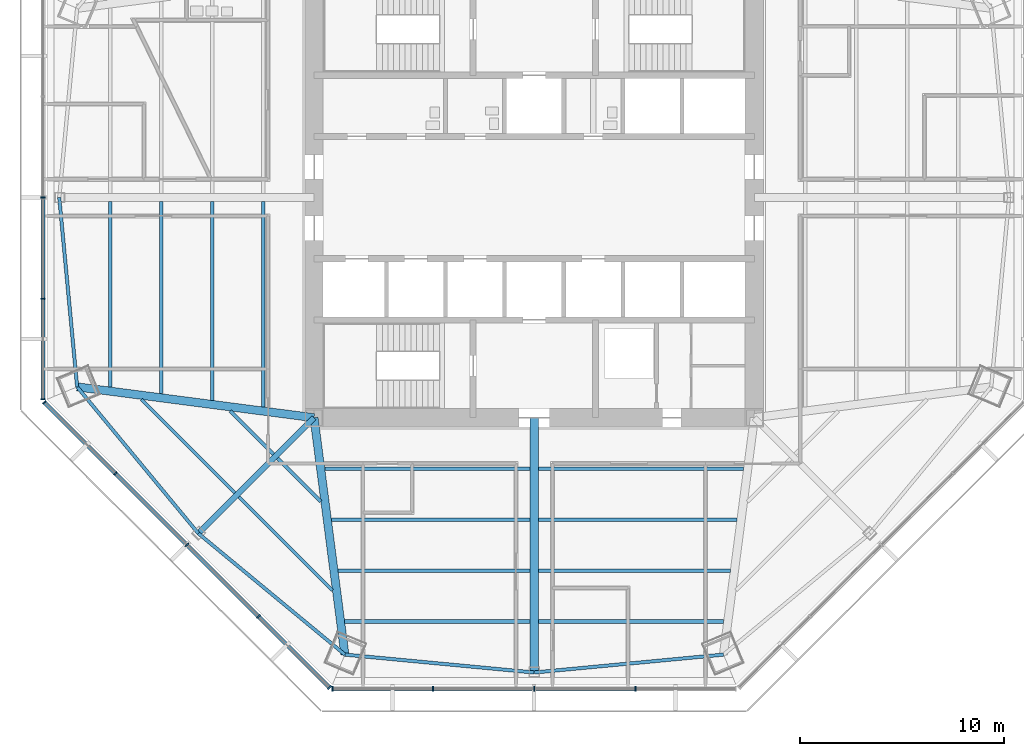
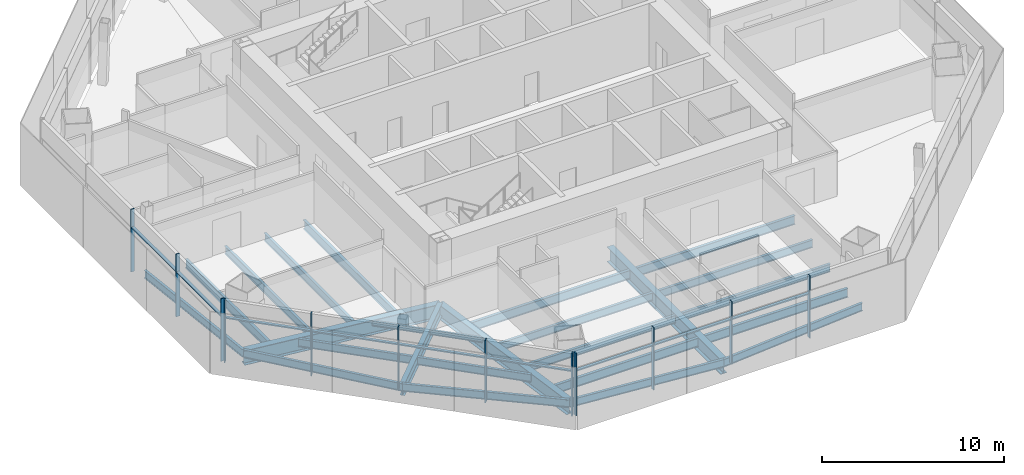
# One storey, part 2 of 14: 25 beams, 21 members, 3 elements without a shape of their own.
"""IFC4 building model written with IfcOpenShell, lengths in metres."""

from ifc_helpers import new_model, si_unit, direction, frame, origin, origin_2d, place, context, subcontext, project, spatial, rectangle, i_section, extrude, source, transform, mapped, material, material_profile, profile_set, type_object, type_shapes, element, aggregate, save


model = new_model("IFC4")

# Units and contexts
model_context = context("Model", 3, precision=1e-05, world=origin(), true_north=direction((0.0, 1.0)))
body_context = subcontext(model_context, "Body", "Model", "MODEL_VIEW")
ifc_project = project(units=[si_unit("LENGTHUNIT", "METRE"), si_unit("AREAUNIT", "SQUARE_METRE"), si_unit("VOLUMEUNIT", "CUBIC_METRE"), si_unit("PLANEANGLEUNIT", "RADIAN"), si_unit("MASSUNIT", "GRAM", prefix="KILO")], contexts=[model_context])

# Site, building, storey
site_placement = place(None, origin())
site = spatial("IfcSite", under=ifc_project, at=site_placement, CompositionType="ELEMENT")
building_placement = place(site_placement, origin())
building = spatial("IfcBuilding", under=site, at=building_placement, Name="Mashrafa Tower", CompositionType="ELEMENT")
storey_placement = place(building_placement, frame((0.0, 0.0, 138.60009765625)))
storey = spatial("IfcBuildingStorey", under=building, at=storey_placement, Name="L31", CompositionType="ELEMENT", Elevation=138.60009765625)

# Beams
ifc_material_1 = material(Name="Steel ASTM A992", Category="steel")
ifc_material_profile_1 = material_profile(ifc_material_1, i_section(OverallWidth=0.164794921875, OverallDepth=0.309814453125, WebThickness=0.005859375, FlangeThickness=0.009765625, FilletRadius=0.007568359375, at=origin_2d()), Name="W12X26")
ifc_profile_set_1 = profile_set([ifc_material_profile_1], Name="Steel ASTM A992")
beam_type_1 = type_object("IfcBeamType", Name="Beam W12X26", PredefinedType="BEAM", material=ifc_profile_set_1)
for number, where, z_axis, x_axis, name in (
    (1, (-12.794921875, -12.588134765625, -0.320068359375), (-0.707106781187, 0.707106781187, 0.0), (-0.707106781187, -0.707106781187, 0.0), "Floor beam L31 013"),
    (2, (-10.46630859375, -14.916748046875, -0.320068359375), (-0.707106781187, 0.707106781187, 0.0), (-0.707106781187, -0.707106781187, 0.0), "Floor beam L31 016"),
):
    element("IfcBeam", number, at=place(storey_placement, frame(where, z_axis=z_axis, x_axis=x_axis)), inside=storey, type_object=beam_type_1, Name=name, PredefinedType="BEAM", context=body_context, shape_type="SweptSolid", body=[
        extrude(i_section(OverallWidth=0.164794921875, OverallDepth=0.309814453125, WebThickness=0.005859375, FlangeThickness=0.009765625, FilletRadius=0.007568359375, at=origin_2d()), origin(), (0.0, 0.0, 1.0), 3.000732421875),
    ])
ifc_material_2 = material(Name="Steel ASTM A992", Category="steel")
ifc_material_profile_2 = material_profile(ifc_material_2, i_section(OverallWidth=0.1650390625, OverallDepth=0.52587890625, WebThickness=0.0087890625, FlangeThickness=0.011474609375, FilletRadius=0.0126953125, at=origin_2d()), Name="W21X44")
ifc_profile_set_2 = profile_set([ifc_material_profile_2], Name="Steel ASTM A992")
beam_type_2 = type_object("IfcBeamType", Name="Beam W21X44", PredefinedType="BEAM", material=ifc_profile_set_2)
beam_1_placement = place(storey_placement, frame((-18.29931640625, -9.62109375, -0.427978515625), z_axis=(0.0, 1.0, 0.0), x_axis=(-1.0, 0.0, 0.0)))
element("IfcBeam", 3, at=beam_1_placement, inside=storey, type_object=beam_type_2, Name="Floor beam L31 004", PredefinedType="BEAM", context=body_context, shape_type="SweptSolid", body=[
    extrude(i_section(OverallWidth=0.1650390625, OverallDepth=0.52587890625, WebThickness=0.0087890625, FlangeThickness=0.011474609375, FilletRadius=0.0126953125, at=origin_2d()), origin(), (0.0, 0.0, 1.0), 9.42041015625),
])
beam_2_placement = place(storey_placement, frame((-15.79931640625, -9.946533203125, -0.427978515625), z_axis=(0.0, 1.0, 0.0), x_axis=(-1.0, 0.0, 0.0)))
element("IfcBeam", 4, at=beam_2_placement, inside=storey, type_object=beam_type_2, Name="Floor beam L31 006", PredefinedType="BEAM", context=body_context, shape_type="SweptSolid", body=[
    extrude(i_section(OverallWidth=0.1650390625, OverallDepth=0.52587890625, WebThickness=0.0087890625, FlangeThickness=0.011474609375, FilletRadius=0.0126953125, at=origin_2d()), origin(), (0.0, 0.0, 1.0), 9.745849609375),
])
for number, where, z_axis, x_axis, name in (
    (5, (-14.686279296875, -14.479736328125, -0.427978515625), (-0.707125627567, 0.707087934304, 0.0), (-0.707087934304, -0.707125627567, 0.0), "Floor beam L31 009"),
    (6, (-9.89990234375, -19.266357421875, -0.427978515625), (-0.707087934304, 0.707125627567, 0.0), (-0.707125627567, -0.707087934304, 0.0), "Floor beam L31 019"),
):
    element("IfcBeam", number, at=place(storey_placement, frame(where, z_axis=z_axis, x_axis=x_axis)), inside=storey, type_object=beam_type_2, Name=name, PredefinedType="BEAM", context=body_context, shape_type="SweptSolid", body=[
        extrude(i_section(OverallWidth=0.1650390625, OverallDepth=0.52587890625, WebThickness=0.0087890625, FlangeThickness=0.011474609375, FilletRadius=0.0126953125, at=origin_2d()), origin(), (0.0, 0.0, 1.0), 6.47705078125),
    ])
beam_3_placement = place(storey_placement, frame((-0.20068359375, -18.29931640625, -0.427978515625), z_axis=(-1.0, 0.0, 0.0), x_axis=(0.0, -1.0, 0.0)))
element("IfcBeam", 7, at=beam_3_placement, inside=storey, type_object=beam_type_2, Name="Floor beam L31 022", PredefinedType="BEAM", context=body_context, shape_type="SweptSolid", body=[
    extrude(i_section(OverallWidth=0.1650390625, OverallDepth=0.52587890625, WebThickness=0.0087890625, FlangeThickness=0.011474609375, FilletRadius=0.0126953125, at=origin_2d()), origin(), (0.0, 0.0, 1.0), 9.42041015625),
])
beam_4_placement = place(storey_placement, frame((-0.20068359375, -15.79931640625, -0.427978515625), z_axis=(-1.0, 0.0, 0.0), x_axis=(0.0, -1.0, 0.0)))
element("IfcBeam", 8, at=beam_4_placement, inside=storey, type_object=beam_type_2, Name="Floor beam L31 023", PredefinedType="BEAM", context=body_context, shape_type="SweptSolid", body=[
    extrude(i_section(OverallWidth=0.1650390625, OverallDepth=0.52587890625, WebThickness=0.0087890625, FlangeThickness=0.011474609375, FilletRadius=0.0126953125, at=origin_2d()), origin(), (0.0, 0.0, 1.0), 9.745849609375),
])
beam_5_placement = place(storey_placement, frame((9.62109375, -18.29931640625, -0.427978515625), z_axis=(-1.0, 0.0, 0.0), x_axis=(0.0, -1.0, 0.0)))
element("IfcBeam", 9, at=beam_5_placement, inside=storey, type_object=beam_type_2, Name="Floor beam L31 031", PredefinedType="BEAM", context=body_context, shape_type="SweptSolid", body=[
    extrude(i_section(OverallWidth=0.1650390625, OverallDepth=0.52587890625, WebThickness=0.0087890625, FlangeThickness=0.011474609375, FilletRadius=0.0126953125, at=origin_2d()), origin(), (0.0, 0.0, 1.0), 9.42041015625),
])
beam_6_placement = place(storey_placement, frame((9.946533203125, -15.79931640625, -0.427978515625), z_axis=(-1.0, 0.0, 0.0), x_axis=(0.0, -1.0, 0.0)))
element("IfcBeam", 10, at=beam_6_placement, inside=storey, type_object=beam_type_2, Name="Floor beam L31 032", PredefinedType="BEAM", context=body_context, shape_type="SweptSolid", body=[
    extrude(i_section(OverallWidth=0.1650390625, OverallDepth=0.52587890625, WebThickness=0.0087890625, FlangeThickness=0.011474609375, FilletRadius=0.0126953125, at=origin_2d()), origin(), (0.0, 0.0, 1.0), 9.745849609375),
])
for number, where, z_axis, x_axis, name in (
    (11, (-23.298583984375, 0.0, -0.427978515625), (0.094140889829, -0.995558884678, 0.0), (0.995558884678, 0.094140889829, 0.0), "Spandrel beam L31 065"),
    (12, (-22.42041015625, -9.286865234375, -0.427978515625), (0.637397366849, -0.770535266379, 0.0), (0.770535266379, 0.637397366849, 0.0), "Spandrel beam L31 066"),
    (13, (-16.474609375, -16.474609375, -0.427978515625), (0.770535266379, -0.637397366849, 0.0), (0.637397366849, 0.770535266379, 0.0), "Spandrel beam L31 068"),
    (14, (-9.286865234375, -22.42041015625, -0.427978515625), (0.995558884678, -0.094140889829, 0.0), (0.094140889829, 0.995558884678, 0.0), "Spandrel beam L31 070"),
    (15, (0.0, -23.298583984375, -0.427978515625), (0.995558884678, 0.094140889829, 0.0), (-0.094140889829, 0.995558884678, 0.0), "Spandrel beam L31 072"),
):
    element("IfcBeam", number, at=place(storey_placement, frame(where, z_axis=z_axis, x_axis=x_axis)), inside=storey, type_object=beam_type_2, Name=name, PredefinedType="BEAM", context=body_context, shape_type="SweptSolid", body=[
        extrude(i_section(OverallWidth=0.1650390625, OverallDepth=0.52587890625, WebThickness=0.0087890625, FlangeThickness=0.011474609375, FilletRadius=0.0126953125, at=origin_2d()), origin(), (0.0, 0.0, 1.0), 9.328369140625),
    ])
ifc_material_3 = material(Name="Steel ASTM A992", Category="steel")
ifc_material_profile_3 = material_profile(ifc_material_3, i_section(OverallWidth=0.177978515625, OverallDepth=0.599365234375, WebThickness=0.010009765625, FlangeThickness=0.012939453125, FilletRadius=0.012939453125, at=origin_2d()), Name="W24X55")
ifc_profile_set_3 = profile_set([ifc_material_profile_3], Name="Steel ASTM A992")
beam_type_3 = type_object("IfcBeamType", Name="Beam W24X55", PredefinedType="BEAM", material=ifc_profile_set_3)
beam_7_placement = place(storey_placement, frame((-20.798828125, -9.295654296875, -0.46484375), z_axis=(0.0, 1.0, 0.0), x_axis=(-1.0, 0.0, 0.0)))
element("IfcBeam", 16, at=beam_7_placement, inside=storey, type_object=beam_type_3, Name="Floor beam L31 001", PredefinedType="BEAM", context=body_context, shape_type="SweptSolid", body=[
    extrude(i_section(OverallWidth=0.177978515625, OverallDepth=0.599365234375, WebThickness=0.010009765625, FlangeThickness=0.012939453125, FilletRadius=0.012939453125, at=origin_2d()), origin(), (0.0, 0.0, 1.0), 9.094970703125),
])
beam_8_placement = place(storey_placement, frame((-13.2998046875, -10.272216796875, -0.46484375), z_axis=(0.0, 1.0, 0.0), x_axis=(-1.0, 0.0, 0.0)))
element("IfcBeam", 17, at=beam_8_placement, inside=storey, type_object=beam_type_3, Name="Floor beam L31 011", PredefinedType="BEAM", context=body_context, shape_type="SweptSolid", body=[
    extrude(i_section(OverallWidth=0.177978515625, OverallDepth=0.599365234375, WebThickness=0.010009765625, FlangeThickness=0.012939453125, FilletRadius=0.012939453125, at=origin_2d()), origin(), (0.0, 0.0, 1.0), 10.071533203125),
])
beam_9_placement = place(storey_placement, frame((-0.20068359375, -20.798828125, -0.46484375), z_axis=(-1.0, 0.0, 0.0), x_axis=(0.0, -1.0, 0.0)))
element("IfcBeam", 18, at=beam_9_placement, inside=storey, type_object=beam_type_3, Name="Floor beam L31 021", PredefinedType="BEAM", context=body_context, shape_type="SweptSolid", body=[
    extrude(i_section(OverallWidth=0.177978515625, OverallDepth=0.599365234375, WebThickness=0.010009765625, FlangeThickness=0.012939453125, FilletRadius=0.012939453125, at=origin_2d()), origin(), (0.0, 0.0, 1.0), 9.094970703125),
])
beam_10_placement = place(storey_placement, frame((-0.20068359375, -13.2998046875, -0.46484375), z_axis=(-1.0, 0.0, 0.0), x_axis=(0.0, -1.0, 0.0)))
element("IfcBeam", 19, at=beam_10_placement, inside=storey, type_object=beam_type_3, Name="Floor beam L31 024", PredefinedType="BEAM", context=body_context, shape_type="SweptSolid", body=[
    extrude(i_section(OverallWidth=0.177978515625, OverallDepth=0.599365234375, WebThickness=0.010009765625, FlangeThickness=0.012939453125, FilletRadius=0.012939453125, at=origin_2d()), origin(), (0.0, 0.0, 1.0), 10.071533203125),
])
beam_11_placement = place(storey_placement, frame((9.295654296875, -20.798828125, -0.46484375), z_axis=(-1.0, 0.0, 0.0), x_axis=(0.0, -1.0, 0.0)))
element("IfcBeam", 20, at=beam_11_placement, inside=storey, type_object=beam_type_3, Name="Floor beam L31 029", PredefinedType="BEAM", context=body_context, shape_type="SweptSolid", body=[
    extrude(i_section(OverallWidth=0.177978515625, OverallDepth=0.599365234375, WebThickness=0.010009765625, FlangeThickness=0.012939453125, FilletRadius=0.012939453125, at=origin_2d()), origin(), (0.0, 0.0, 1.0), 9.094970703125),
])
beam_12_placement = place(storey_placement, frame((10.272216796875, -13.2998046875, -0.46484375), z_axis=(-1.0, 0.0, 0.0), x_axis=(0.0, -1.0, 0.0)))
element("IfcBeam", 21, at=beam_12_placement, inside=storey, type_object=beam_type_3, Name="Floor beam L31 034", PredefinedType="BEAM", context=body_context, shape_type="SweptSolid", body=[
    extrude(i_section(OverallWidth=0.177978515625, OverallDepth=0.599365234375, WebThickness=0.010009765625, FlangeThickness=0.012939453125, FilletRadius=0.012939453125, at=origin_2d()), origin(), (0.0, 0.0, 1.0), 10.071533203125),
])
ifc_material_4 = material(Name="Steel ASTM A992", Category="steel")
ifc_material_profile_4 = material_profile(ifc_material_4, i_section(OverallWidth=0.2919921875, OverallDepth=0.8408203125, WebThickness=0.0146484375, FlangeThickness=0.021728515625, FilletRadius=0.017333984375, at=origin_2d()), Name="W33X130")
ifc_profile_set_4 = profile_set([ifc_material_profile_4], Name="Steel ASTM A992")
beam_type_4 = type_object("IfcBeamType", Name="Beam W33X130", PredefinedType="BEAM", material=ifc_profile_set_4)
beam_13_placement = place(storey_placement, frame((-10.800048828125, -10.800048828125, -0.58544921875), z_axis=(-0.707106781187, -0.707106781187, 0.0), x_axis=(0.707106781187, -0.707106781187, 0.0)))
element("IfcBeam", 22, at=beam_13_placement, inside=storey, type_object=beam_type_4, Name="Radial girder L31 050", PredefinedType="BEAM", context=body_context, shape_type="SweptSolid", body=[
    extrude(i_section(OverallWidth=0.2919921875, OverallDepth=0.8408203125, WebThickness=0.0146484375, FlangeThickness=0.021728515625, FilletRadius=0.017333984375, at=origin_2d()), origin(), (0.0, 0.0, 1.0), 8.025146484375),
])
ifc_material_5 = material(Name="Steel ASTM A992", Category="steel")
ifc_material_profile_5 = material_profile(ifc_material_5, i_section(OverallWidth=0.4013671875, OverallDepth=0.98291015625, WebThickness=0.0166015625, FlangeThickness=0.027099609375, FilletRadius=0.0126953125, at=origin_2d()), Name="W40X199")
ifc_profile_set_5 = profile_set([ifc_material_profile_5], Name="Steel ASTM A992")
beam_type_5 = type_object("IfcBeamType", Name="Beam W40X199", PredefinedType="BEAM", material=ifc_profile_set_5)
for number, where, z_axis, x_axis, name in (
    (23, (-10.800048828125, -10.800048828125, -0.656494140625), (-0.991627921906, 0.129128093367, 0.0), (-0.129128093367, -0.991627921906, 0.0), "Radial girder L31 049"),
    (24, (-10.800048828125, -10.800048828125, -0.656494140625), (0.129128093367, -0.991627921906, 0.0), (0.991627921906, 0.129128093367, 0.0), "Radial girder L31 051"),
):
    element("IfcBeam", number, at=place(storey_placement, frame(where, z_axis=z_axis, x_axis=x_axis)), inside=storey, type_object=beam_type_5, Name=name, PredefinedType="BEAM", context=body_context, shape_type="SweptSolid", body=[
        extrude(i_section(OverallWidth=0.4013671875, OverallDepth=0.98291015625, WebThickness=0.0166015625, FlangeThickness=0.027099609375, FilletRadius=0.0126953125, at=origin_2d()), origin(), (0.0, 0.0, 1.0), 11.718505859375),
    ])
ifc_material_6 = material(Name="Steel ASTM A992", Category="steel")
ifc_material_profile_6 = material_profile(ifc_material_6, i_section(OverallWidth=0.4013671875, OverallDepth=1.010986328125, WebThickness=0.023681640625, FlangeThickness=0.0419921875, FilletRadius=0.02001953125, at=origin_2d()), Name="W40X297")
ifc_profile_set_6 = profile_set([ifc_material_profile_6], Name="Steel ASTM A992")
beam_type_6 = type_object("IfcBeamType", Name="Beam W40X297", PredefinedType="BEAM", material=ifc_profile_set_6)
beam_14_placement = place(storey_placement, frame((0.0, -10.800048828125, -0.670654296875), z_axis=(0.0, -1.0, 0.0), x_axis=(1.0, 0.0, 0.0)))
element("IfcBeam", 25, at=beam_14_placement, inside=storey, type_object=beam_type_6, Name="Radial girder L31 056", PredefinedType="BEAM", context=body_context, shape_type="SweptSolid", body=[
    extrude(i_section(OverallWidth=0.4013671875, OverallDepth=1.010986328125, WebThickness=0.023681640625, FlangeThickness=0.0419921875, FilletRadius=0.02001953125, at=origin_2d()), origin(), (0.0, 0.0, 1.0), 12.49853515625),
])

# Curtain wall, members
ifc_material_7 = material(Name="Unitised aluminium curtain wall", Category="aluminium")
curtain_wall_type = type_object("IfcCurtainWallType", Name="Office curtain wall, zone 2 CW-B 225 deep", PredefinedType="NOTDEFINED", material=ifc_material_7)
curtain_wall_1_placement = place(storey_placement, origin())
curtain_wall_1 = element("IfcCurtainWall", 26, at=curtain_wall_1_placement, inside=storey, type_object=curtain_wall_type, Name="Office curtain wall, zone 2 L31 west", PredefinedType="NOTDEFINED")
ifc_material_8 = material(Name="Extruded aluminium mullion", Category="aluminium")
ifc_material_profile_7 = material_profile(ifc_material_8, rectangle(XDim=0.22509765625, YDim=0.06494140625, at=origin_2d()), Name="Mullion 65x225")
ifc_profile_set_7 = profile_set([ifc_material_profile_7], Name="Extruded aluminium mullion")
member_type_1 = type_object("IfcMemberType", Name="Mullion CW-B 65 x 225", PredefinedType="MULLION", material=ifc_profile_set_7)
shared_shape_1 = source(origin(), body_context, "Body", "SweptSolid", [
    extrude(rectangle(XDim=0.22509765625, YDim=0.06494140625, at=origin_2d()), origin(), (0.0, 0.0, 1.0), 4.199951171875),
])
type_shapes(member_type_1, [shared_shape_1])
member_1_placement = place(storey_placement, frame((-24.093994140625, 0.0, 0.0), z_axis=(0.0, 0.0, 1.0), x_axis=(1.0, 0.0, 0.0)))
member_1 = element("IfcMember", 27, at=member_1_placement, type_object=member_type_1, Name="CW-B mullion 3", PredefinedType="MULLION", context=body_context, shape_type="MappedRepresentation", body=[
    mapped(shared_shape_1, transform((0.0, 0.0, 0.0))),
])
member_2_placement = place(storey_placement, frame((-24.093994140625, -4.961669921875, 0.0), z_axis=(0.0, 0.0, 1.0), x_axis=(1.0, 0.0, 0.0)))
member_2 = element("IfcMember", 28, at=member_2_placement, type_object=member_type_1, Name="CW-B mullion 4", PredefinedType="MULLION", context=body_context, shape_type="MappedRepresentation", body=[
    mapped(shared_shape_1, transform((0.0, 0.0, 0.0))),
])
member_3_placement = place(storey_placement, frame((-24.093994140625, -9.890869140625, 0.0), z_axis=(0.0, 0.0, 1.0), x_axis=(1.0, 0.0, 0.0)))
member_3 = element("IfcMember", 29, at=member_3_placement, type_object=member_type_1, Name="CW-B mullion 5", PredefinedType="MULLION", context=body_context, shape_type="MappedRepresentation", body=[
    mapped(shared_shape_1, transform((0.0, 0.0, 0.0))),
])

curtain_wall_2_placement = place(storey_placement, origin())
curtain_wall_2 = element("IfcCurtainWall", 30, at=curtain_wall_2_placement, inside=storey, type_object=curtain_wall_type, Name="Office curtain wall, zone 2 L31 south-west", PredefinedType="NOTDEFINED")
member_4_placement = place(storey_placement, frame((-24.031005859375, -10.04296875, 0.0), z_axis=(0.0, 0.0, 1.0), x_axis=(0.707106781187, 0.707106781187, 0.0)))
member_4 = element("IfcMember", 31, at=member_4_placement, type_object=member_type_1, Name="CW-B mullion 1", PredefinedType="MULLION", context=body_context, shape_type="MappedRepresentation", body=[
    mapped(shared_shape_1, transform((0.0, 0.0, 0.0))),
])
member_5_placement = place(storey_placement, frame((-20.54541015625, -13.528564453125, 0.0), z_axis=(0.0, 0.0, 1.0), x_axis=(0.707106781187, 0.707106781187, 0.0)))
member_5 = element("IfcMember", 32, at=member_5_placement, type_object=member_type_1, Name="CW-B mullion 2", PredefinedType="MULLION", context=body_context, shape_type="MappedRepresentation", body=[
    mapped(shared_shape_1, transform((0.0, 0.0, 0.0))),
])
member_6_placement = place(storey_placement, frame((-17.036865234375, -17.036865234375, 0.0), z_axis=(0.0, 0.0, 1.0), x_axis=(0.707106781187, 0.707106781187, 0.0)))
member_6 = element("IfcMember", 33, at=member_6_placement, type_object=member_type_1, Name="CW-B mullion 3", PredefinedType="MULLION", context=body_context, shape_type="MappedRepresentation", body=[
    mapped(shared_shape_1, transform((0.0, 0.0, 0.0))),
])
member_7_placement = place(storey_placement, frame((-13.528564453125, -20.54541015625, 0.0), z_axis=(0.0, 0.0, 1.0), x_axis=(0.707106781187, 0.707106781187, 0.0)))
member_7 = element("IfcMember", 34, at=member_7_placement, type_object=member_type_1, Name="CW-B mullion 4", PredefinedType="MULLION", context=body_context, shape_type="MappedRepresentation", body=[
    mapped(shared_shape_1, transform((0.0, 0.0, 0.0))),
])
member_8_placement = place(storey_placement, frame((-10.04296875, -24.031005859375, 0.0), z_axis=(0.0, 0.0, 1.0), x_axis=(0.707106781187, 0.707106781187, 0.0)))
member_8 = element("IfcMember", 35, at=member_8_placement, type_object=member_type_1, Name="CW-B mullion 5", PredefinedType="MULLION", context=body_context, shape_type="MappedRepresentation", body=[
    mapped(shared_shape_1, transform((0.0, 0.0, 0.0))),
])

curtain_wall_3_placement = place(storey_placement, origin())
curtain_wall_3 = element("IfcCurtainWall", 36, at=curtain_wall_3_placement, inside=storey, type_object=curtain_wall_type, Name="Office curtain wall, zone 2 L31 south", PredefinedType="NOTDEFINED")
member_9_placement = place(storey_placement, frame((-9.890869140625, -24.093994140625, 0.0), z_axis=(0.0, 0.0, 1.0), x_axis=(0.0, 1.0, 0.0)))
member_9 = element("IfcMember", 37, at=member_9_placement, type_object=member_type_1, Name="CW-B mullion 1", PredefinedType="MULLION", context=body_context, shape_type="MappedRepresentation", body=[
    mapped(shared_shape_1, transform((0.0, 0.0, 0.0))),
])
member_10_placement = place(storey_placement, frame((-4.961669921875, -24.093994140625, 0.0), z_axis=(0.0, 0.0, 1.0), x_axis=(0.0, 1.0, 0.0)))
member_10 = element("IfcMember", 38, at=member_10_placement, type_object=member_type_1, Name="CW-B mullion 2", PredefinedType="MULLION", context=body_context, shape_type="MappedRepresentation", body=[
    mapped(shared_shape_1, transform((0.0, 0.0, 0.0))),
])
member_11_placement = place(storey_placement, frame((0.0, -24.093994140625, 0.0), z_axis=(0.0, 0.0, 1.0), x_axis=(0.0, 1.0, 0.0)))
member_11 = element("IfcMember", 39, at=member_11_placement, type_object=member_type_1, Name="CW-B mullion 3", PredefinedType="MULLION", context=body_context, shape_type="MappedRepresentation", body=[
    mapped(shared_shape_1, transform((0.0, 0.0, 0.0))),
])
member_12_placement = place(storey_placement, frame((4.961669921875, -24.093994140625, 0.0), z_axis=(0.0, 0.0, 1.0), x_axis=(0.0, 1.0, 0.0)))
member_12 = element("IfcMember", 40, at=member_12_placement, type_object=member_type_1, Name="CW-B mullion 4", PredefinedType="MULLION", context=body_context, shape_type="MappedRepresentation", body=[
    mapped(shared_shape_1, transform((0.0, 0.0, 0.0))),
])

# Member
ifc_material_9 = material(Name="Extruded aluminium transom", Category="aluminium")
ifc_material_profile_8 = material_profile(ifc_material_9, rectangle(XDim=0.179931640625, YDim=0.080078125, at=origin_2d()), Name="Transom 80x180")
ifc_profile_set_8 = profile_set([ifc_material_profile_8], Name="Extruded aluminium transom")
member_type_2 = type_object("IfcMemberType", Name="Transom CW-B 80 x 180", PredefinedType="MULLION", material=ifc_profile_set_8)
shared_shape_2 = source(origin(), body_context, "Body", "SweptSolid", [
    extrude(rectangle(XDim=0.179931640625, YDim=0.080078125, at=origin_2d()), origin(), (0.0, 0.0, 1.0), 4.8642578125),
])
member_13_placement = place(storey_placement, frame((-24.093994140625, -4.994140625, 3.0), z_axis=(0.0, -1.0, 0.0), x_axis=(1.0, 0.0, 0.0)))
member_13 = element("IfcMember", 41, at=member_13_placement, type_object=member_type_2, Name="CW-B transom 4", PredefinedType="MULLION", context=body_context, shape_type="MappedRepresentation", body=[
    mapped(shared_shape_2, transform((0.0, 0.0, 0.0))),
])

member_14_placement = place(storey_placement, frame((-24.0078125, -10.06591796875, 3.0), z_axis=(0.707081685565, -0.707131875917, 0.0), x_axis=(0.707131875917, 0.707081685565, 0.0)))
member_14 = element("IfcMember", 42, at=member_14_placement, type_object=member_type_2, Name="CW-B transom 1", PredefinedType="MULLION", context=body_context, shape_type="MappedRepresentation", body=[
    mapped(shared_shape_2, transform((0.0, 0.0, 0.0))),
])

member_15_placement = place(storey_placement, frame((-13.505615234375, -20.568359375, 3.0), z_axis=(0.707131875917, -0.707081685565, 0.0), x_axis=(0.707081685565, 0.707131875917, 0.0)))
member_15 = element("IfcMember", 43, at=member_15_placement, type_object=member_type_2, Name="CW-B transom 4", PredefinedType="MULLION", context=body_context, shape_type="MappedRepresentation", body=[
    mapped(shared_shape_2, transform((0.0, 0.0, 0.0))),
])

member_16_placement = place(storey_placement, frame((-9.8583984375, -24.093994140625, 3.0), z_axis=(1.0, 0.0, 0.0), x_axis=(0.0, 1.0, 0.0)))
member_16 = element("IfcMember", 44, at=member_16_placement, type_object=member_type_2, Name="CW-B transom 1", PredefinedType="MULLION", context=body_context, shape_type="MappedRepresentation", body=[
    mapped(shared_shape_2, transform((0.0, 0.0, 0.0))),
])

shared_shape_3 = source(origin(), body_context, "Body", "SweptSolid", [
    extrude(rectangle(XDim=0.179931640625, YDim=0.080078125, at=origin_2d()), origin(), (0.0, 0.0, 1.0), 4.896728515625),
])
member_17_placement = place(storey_placement, frame((-24.093994140625, -0.032470703125, 3.0), z_axis=(0.0, -1.0, 0.0), x_axis=(1.0, 0.0, 0.0)))
member_17 = element("IfcMember", 45, at=member_17_placement, type_object=member_type_2, Name="CW-B transom 3", PredefinedType="MULLION", context=body_context, shape_type="MappedRepresentation", body=[
    mapped(shared_shape_3, transform((0.0, 0.0, 0.0))),
])

aggregate(curtain_wall_1, [member_1, member_2, member_3, member_17, member_13])

member_18_placement = place(storey_placement, frame((-4.92919921875, -24.093994140625, 3.0), z_axis=(1.0, 0.0, 0.0), x_axis=(0.0, 1.0, 0.0)))
member_18 = element("IfcMember", 46, at=member_18_placement, type_object=member_type_2, Name="CW-B transom 2", PredefinedType="MULLION", context=body_context, shape_type="MappedRepresentation", body=[
    mapped(shared_shape_3, transform((0.0, 0.0, 0.0))),
])

member_19_placement = place(storey_placement, frame((0.032470703125, -24.093994140625, 3.0), z_axis=(1.0, 0.0, 0.0), x_axis=(0.0, 1.0, 0.0)))
member_19 = element("IfcMember", 47, at=member_19_placement, type_object=member_type_2, Name="CW-B transom 3", PredefinedType="MULLION", context=body_context, shape_type="MappedRepresentation", body=[
    mapped(shared_shape_3, transform((0.0, 0.0, 0.0))),
])

aggregate(curtain_wall_3, [member_9, member_10, member_11, member_12, member_16, member_18, member_19])

shared_shape_4 = source(origin(), body_context, "Body", "SweptSolid", [
    extrude(rectangle(XDim=0.179931640625, YDim=0.080078125, at=origin_2d()), origin(), (0.0, 0.0, 1.0), 4.896484375),
])
type_shapes(member_type_2, [shared_shape_2, shared_shape_3, shared_shape_4])
member_20_placement = place(storey_placement, frame((-20.5224609375, -13.551513671875, 3.0), z_axis=(0.707106781187, -0.707106781187, 0.0), x_axis=(0.707106781187, 0.707106781187, 0.0)))
member_20 = element("IfcMember", 48, at=member_20_placement, type_object=member_type_2, Name="CW-B transom 2", PredefinedType="MULLION", context=body_context, shape_type="MappedRepresentation", body=[
    mapped(shared_shape_4, transform((0.0, 0.0, 0.0))),
])

member_21_placement = place(storey_placement, frame((-17.013916015625, -17.06005859375, 3.0), z_axis=(0.707106781187, -0.707106781187, 0.0), x_axis=(0.707106781187, 0.707106781187, 0.0)))
member_21 = element("IfcMember", 49, at=member_21_placement, type_object=member_type_2, Name="CW-B transom 3", PredefinedType="MULLION", context=body_context, shape_type="MappedRepresentation", body=[
    mapped(shared_shape_4, transform((0.0, 0.0, 0.0))),
])

aggregate(curtain_wall_2, [member_4, member_5, member_6, member_7, member_8, member_14, member_20, member_21, member_15])

save(model, "model.ifc")
